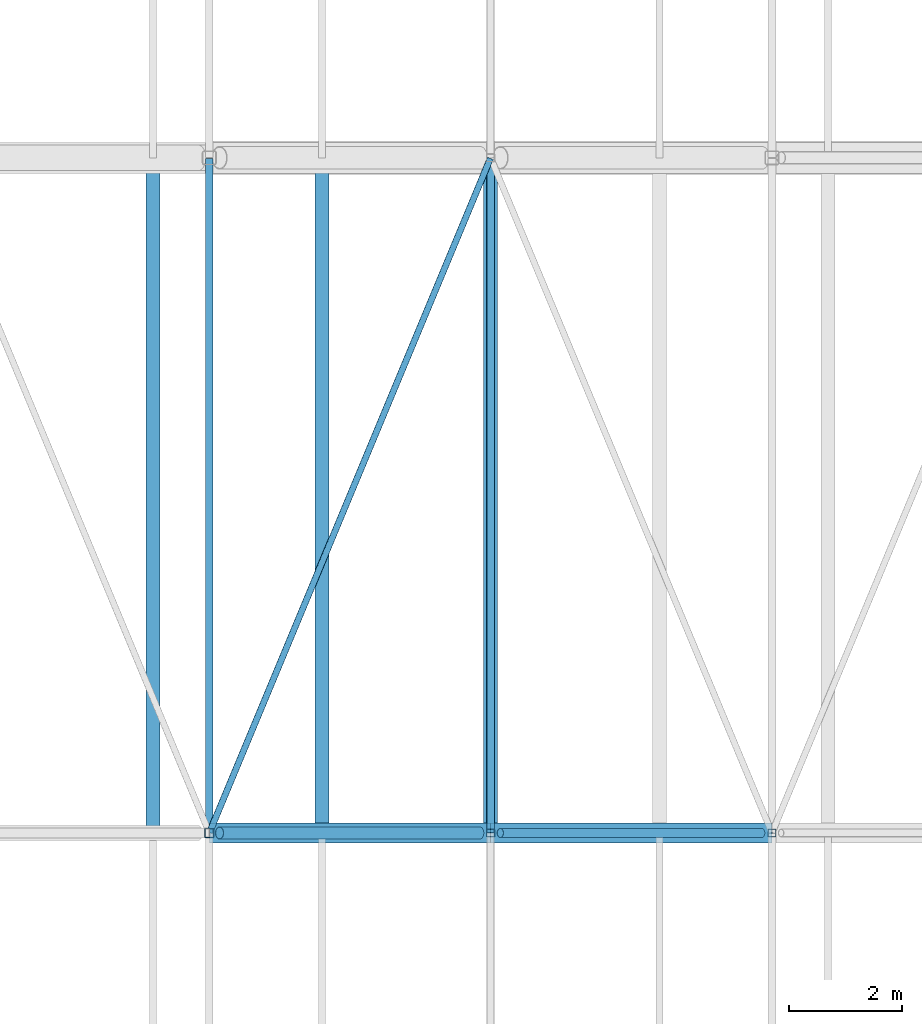
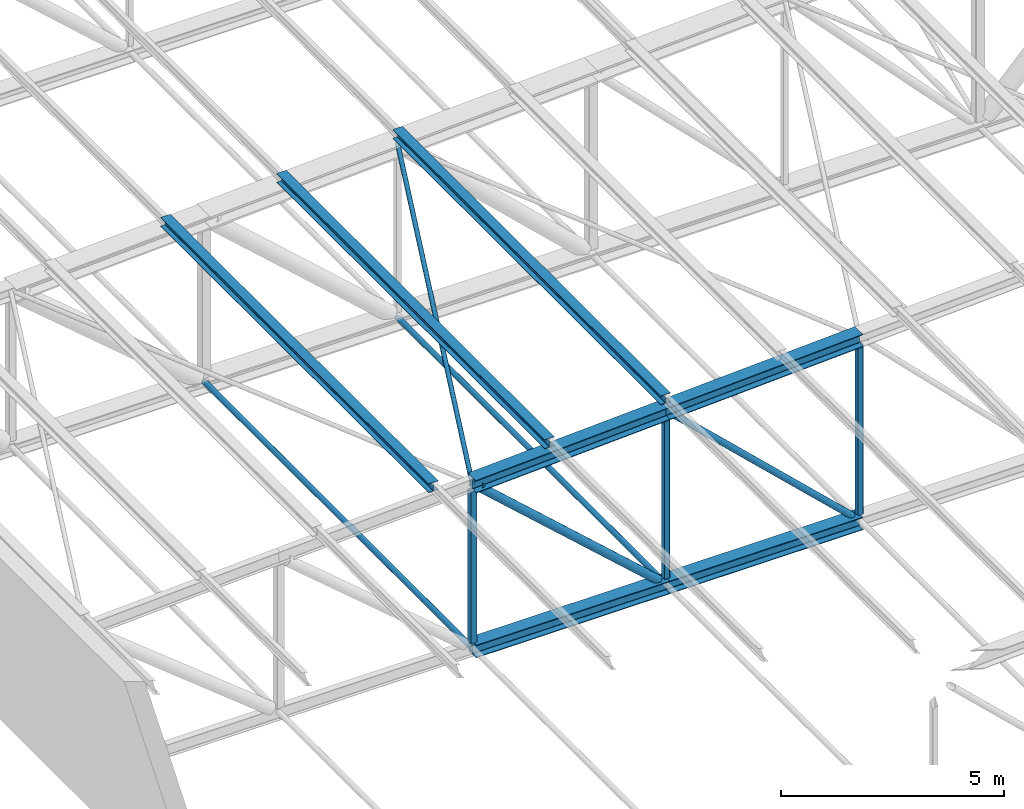
# One storey, part 67 of 156: 15 members.
"""IFC4 building model written with IfcOpenShell, lengths in metres."""

from ifc_helpers import new_model, si_unit, direction, frame, origin, origin_2d, place, context, subcontext, project, spatial, hollow_rectangle, hollow_circle, i_section, extrude, material, material_profile, profile_set, type_object, element, save


model = new_model("IFC4")

# Units and contexts
model_context = context("Model", 3, precision=1e-05, world=origin(), true_north=direction((0.0, 1.0)))
body_context = subcontext(model_context, "Body", "Model", "MODEL_VIEW")
ifc_project = project(units=[si_unit("LENGTHUNIT", "METRE"), si_unit("AREAUNIT", "SQUARE_METRE"), si_unit("VOLUMEUNIT", "CUBIC_METRE"), si_unit("PLANEANGLEUNIT", "RADIAN"), si_unit("MASSUNIT", "GRAM", prefix="KILO")], contexts=[model_context])

# Site, building, storey
site_placement = place(None, origin())
site = spatial("IfcSite", under=ifc_project, at=site_placement, CompositionType="ELEMENT")
building_placement = place(site_placement, origin())
building = spatial("IfcBuilding", under=site, at=building_placement, Name="Lilac Gate Convention Centre", CompositionType="ELEMENT")
storey_placement = place(building_placement, frame((0.0, 0.0, 17.0)))
storey = spatial("IfcBuildingStorey", under=building, at=storey_placement, Name="L03", CompositionType="ELEMENT", Elevation=17.0)

# Members
ifc_material = material(Name="Steel Q355B", Category="steel")
ifc_material_profile_1 = material_profile(ifc_material, hollow_circle(Radius=0.06982421875, WallThickness=0.0048828125, at=origin_2d()), Name="CHS139.7x5")
ifc_profile_set_1 = profile_set([ifc_material_profile_1], Name="Steel Q355B")
member_type_1 = type_object("IfcMemberType", Name="Bottom chord tie CHS139.7x5", PredefinedType="STRUT", material=ifc_profile_set_1)
member_1_placement = place(storey_placement, frame((40.0, 126.00341796875, 0.0), z_axis=(0.0, 1.0, 0.0), x_axis=(-1.0, 0.0, 0.0)))
element("IfcMember", 1, at=member_1_placement, inside=storey, type_object=member_type_1, Name="ST1 tie bay 9 node 3", PredefinedType="STRUT", context=body_context, shape_type="SweptSolid", body=[
    extrude(hollow_circle(Radius=0.06982421875, WallThickness=0.0048828125, at=origin_2d()), origin(), (0.0, 0.0, 1.0), 11.988525390625),
])
member_2_placement = place(storey_placement, frame((45.0, 126.006103515625, 0.0), z_axis=(0.0, 1.0, 0.0), x_axis=(-1.0, 0.0, 0.0)))
element("IfcMember", 2, at=member_2_placement, inside=storey, type_object=member_type_1, Name="ST1 tie bay 9 node 4", PredefinedType="STRUT", context=body_context, shape_type="SweptSolid", body=[
    extrude(hollow_circle(Radius=0.06982421875, WallThickness=0.0048828125, at=origin_2d()), origin(), (0.0, 0.0, 1.0), 11.98388671875),
])
ifc_material_profile_2 = material_profile(ifc_material, hollow_circle(Radius=0.05712890625, WallThickness=0.0048828125, at=origin_2d()), Name="CHS114.3x5")
ifc_profile_set_2 = profile_set([ifc_material_profile_2], Name="Steel Q355B")
member_type_2 = type_object("IfcMemberType", Name="Roof plane bracing CHS114.3x5", PredefinedType="BRACE", material=ifc_profile_set_2)
member_3_placement = place(storey_placement, frame((40.004150390625, 126.010009765625, 4.500244140625), z_axis=(0.384546996299, 0.922905267945, 0.019221707435), x_axis=(-0.923075809972, 0.384618056056, 0.0)))
element("IfcMember", 3, at=member_3_placement, inside=storey, type_object=member_type_2, Name="BR1 plan bracing bay 9 panel 3", PredefinedType="BRACE", context=body_context, shape_type="SweptSolid", body=[
    extrude(hollow_circle(Radius=0.05712890625, WallThickness=0.0048828125, at=origin_2d()), origin(), (0.0, 0.0, 1.0), 12.980712890625),
])
ifc_material_profile_3 = material_profile(ifc_material, i_section(OverallWidth=0.25, OverallDepth=0.25, WebThickness=0.009033203125, FlangeThickness=0.013916015625, FilletRadius=0.012939453125, at=origin_2d()), Name="HW250x250x9x14")
ifc_profile_set_3 = profile_set([ifc_material_profile_3], Name="Steel Q355B")
member_type_3 = type_object("IfcMemberType", Name="Roof purlin HW250x250x9x14", PredefinedType="PURLIN", material=ifc_profile_set_3)
for number, where, z_axis, x_axis, name in (
    (4, (39.0, 126.0, 4.750244140625), (0.0, 1.0, 0.0), (-1.0, 0.0, 0.0), "PU1 purlin bay 9 line 4"),
    (5, (42.0, 126.0, 4.900146484375), (0.0, 1.0, 0.0), (-1.0, 0.0, 0.0), "PU1 purlin bay 9 line 5"),
    (6, (45.0, 126.0, 5.05029296875), (0.0, 1.0, 0.0), (-1.0, 0.0, 0.0), "PU1 purlin bay 9 line 6"),
):
    element("IfcMember", number, at=place(storey_placement, frame(where, z_axis=z_axis, x_axis=x_axis)), inside=storey, type_object=member_type_3, Name=name, PredefinedType="PURLIN", context=body_context, shape_type="SweptSolid", body=[
        extrude(i_section(OverallWidth=0.25, OverallDepth=0.25, WebThickness=0.009033203125, FlangeThickness=0.013916015625, FilletRadius=0.012939453125, at=origin_2d()), origin(), (0.0, 0.0, 1.0), 12.0),
    ])
ifc_material_profile_4 = material_profile(ifc_material, i_section(OverallWidth=0.35009765625, OverallDepth=0.35009765625, WebThickness=0.011962890625, FlangeThickness=0.01904296875, FilletRadius=0.012939453125, at=origin_2d()), Name="HW350x350x12x19")
ifc_profile_set_4 = profile_set([ifc_material_profile_4], Name="Steel Q355B")
member_type_4 = type_object("IfcMemberType", Name="Truss bottom chord HW350x350x12x19", PredefinedType="CHORD", material=ifc_profile_set_4)
for number, where, z_axis, x_axis, name in (
    (7, (40.0, 126.0, 0.0), (1.0, 0.0, 0.0), (0.0, 1.0, 0.0), "TB2 truss 9 bottom chord 3"),
    (8, (45.0, 126.0, 0.0), (1.0, 0.0, 0.0), (0.0, 1.0, 0.0), "TB2 truss 9 bottom chord 4"),
):
    element("IfcMember", number, at=place(storey_placement, frame(where, z_axis=z_axis, x_axis=x_axis)), inside=storey, type_object=member_type_4, Name=name, PredefinedType="CHORD", context=body_context, shape_type="SweptSolid", body=[
        extrude(i_section(OverallWidth=0.35009765625, OverallDepth=0.35009765625, WebThickness=0.011962890625, FlangeThickness=0.01904296875, FilletRadius=0.012939453125, at=origin_2d()), origin(), (0.0, 0.0, 1.0), 5.0),
    ])
ifc_material_profile_5 = material_profile(ifc_material, hollow_circle(Radius=0.084228515625, WallThickness=0.006103515625, at=origin_2d()), Name="CHS168.3x6")
ifc_profile_set_5 = profile_set([ifc_material_profile_5], Name="Steel Q355B")
member_type_5 = type_object("IfcMemberType", Name="Truss diagonal CHS168.3x6", PredefinedType="BRACE", material=ifc_profile_set_5)
member_4_placement = place(storey_placement, frame((45.1728515625, 126.0, 4.585693359375), z_axis=(0.725020373275, 0.0, -0.688727419475), x_axis=(0.0, 1.0, 0.0)))
element("IfcMember", 9, at=member_4_placement, inside=storey, type_object=member_type_5, Name="TW4 truss 9 diagonal 4", PredefinedType="BRACE", context=body_context, shape_type="SweptSolid", body=[
    extrude(hollow_circle(Radius=0.084228515625, WallThickness=0.006103515625, at=origin_2d()), origin(), (0.0, 0.0, 1.0), 6.404052734375),
])
ifc_material_profile_6 = material_profile(ifc_material, hollow_circle(Radius=0.109619140625, WallThickness=0.008056640625, at=origin_2d()), Name="CHS219.1x8")
ifc_profile_set_6 = profile_set([ifc_material_profile_6], Name="Steel Q355B")
member_type_6 = type_object("IfcMemberType", Name="Truss diagonal CHS219.1x8", PredefinedType="BRACE", material=ifc_profile_set_6)
member_5_placement = place(storey_placement, frame((40.1826171875, 126.0, 4.335693359375), z_axis=(0.743301953498, 0.0, -0.668956056797), x_axis=(0.0, 1.0, 0.0)))
element("IfcMember", 10, at=member_5_placement, inside=storey, type_object=member_type_6, Name="TW3 truss 9 diagonal 3", PredefinedType="BRACE", context=body_context, shape_type="SweptSolid", body=[
    extrude(hollow_circle(Radius=0.109619140625, WallThickness=0.008056640625, at=origin_2d()), origin(), (0.0, 0.0, 1.0), 6.2197265625),
])
ifc_material_profile_7 = material_profile(ifc_material, i_section(OverallWidth=0.35009765625, OverallDepth=0.35009765625, WebThickness=0.011962890625, FlangeThickness=0.01904296875, FilletRadius=0.012939453125, at=origin_2d()), Name="HW350x350x12x19")
ifc_profile_set_7 = profile_set([ifc_material_profile_7], Name="Steel Q355B")
member_type_7 = type_object("IfcMemberType", Name="Truss top chord HW350x350x12x19", PredefinedType="CHORD", material=ifc_profile_set_7)
for number, where, z_axis, x_axis, name in (
    (11, (40.0, 126.0, 4.5), (0.998752338878, 0.0, 0.049937616944), (0.0, 1.0, 0.0), "TT2 truss 9 top chord 3"),
    (12, (45.0, 126.0, 4.75), (0.998752338878, 0.0, 0.049937616944), (0.0, 1.0, 0.0), "TT2 truss 9 top chord 4"),
):
    element("IfcMember", number, at=place(storey_placement, frame(where, z_axis=z_axis, x_axis=x_axis)), inside=storey, type_object=member_type_7, Name=name, PredefinedType="CHORD", context=body_context, shape_type="SweptSolid", body=[
        extrude(i_section(OverallWidth=0.35009765625, OverallDepth=0.35009765625, WebThickness=0.011962890625, FlangeThickness=0.01904296875, FilletRadius=0.012939453125, at=origin_2d()), origin(), (0.0, 0.0, 1.0), 5.00634765625),
    ])
ifc_material_profile_8 = material_profile(ifc_material, hollow_rectangle(XDim=0.139892578125, YDim=0.139892578125, WallThickness=0.0048828125, InnerFilletRadius=0.0048828125, OuterFilletRadius=0.010009765625, at=origin_2d()), Name="SHS140x140x5")
ifc_profile_set_8 = profile_set([ifc_material_profile_8], Name="Steel Q355B")
member_type_8 = type_object("IfcMemberType", Name="Truss vertical SHS140x140x5", PredefinedType="STRUT", material=ifc_profile_set_8)
member_6_placement = place(storey_placement, frame((45.0, 126.0, 0.175048828125), z_axis=(0.0, 0.0, 1.0), x_axis=(1.0, 0.0, 0.0)))
element("IfcMember", 13, at=member_6_placement, inside=storey, type_object=member_type_8, Name="TV4 truss 9 vertical 4", PredefinedType="STRUT", context=body_context, shape_type="SweptSolid", body=[
    extrude(hollow_rectangle(XDim=0.139892578125, YDim=0.139892578125, WallThickness=0.0048828125, InnerFilletRadius=0.0048828125, OuterFilletRadius=0.010009765625, at=origin_2d()), origin(), (0.0, 0.0, 1.0), 4.399658203125),
])
member_7_placement = place(storey_placement, frame((50.0, 126.0, 0.175048828125), z_axis=(0.0, 0.0, 1.0), x_axis=(1.0, 0.0, 0.0)))
element("IfcMember", 14, at=member_7_placement, inside=storey, type_object=member_type_8, Name="TV4 truss 9 vertical 5", PredefinedType="STRUT", context=body_context, shape_type="SweptSolid", body=[
    extrude(hollow_rectangle(XDim=0.139892578125, YDim=0.139892578125, WallThickness=0.0048828125, InnerFilletRadius=0.0048828125, OuterFilletRadius=0.010009765625, at=origin_2d()), origin(), (0.0, 0.0, 1.0), 4.649658203125),
])
ifc_material_profile_9 = material_profile(ifc_material, hollow_rectangle(XDim=0.159912109375, YDim=0.159912109375, WallThickness=0.006103515625, InnerFilletRadius=0.006103515625, OuterFilletRadius=0.011962890625, at=origin_2d()), Name="SHS160x160x6")
ifc_profile_set_9 = profile_set([ifc_material_profile_9], Name="Steel Q355B")
member_type_9 = type_object("IfcMemberType", Name="Truss vertical SHS160x160x6", PredefinedType="STRUT", material=ifc_profile_set_9)
member_8_placement = place(storey_placement, frame((40.0, 126.0, 0.175048828125), z_axis=(0.0, 0.0, 1.0), x_axis=(1.0, 0.0, 0.0)))
element("IfcMember", 15, at=member_8_placement, inside=storey, type_object=member_type_9, Name="TV3 truss 9 vertical 3", PredefinedType="STRUT", context=body_context, shape_type="SweptSolid", body=[
    extrude(hollow_rectangle(XDim=0.159912109375, YDim=0.159912109375, WallThickness=0.006103515625, InnerFilletRadius=0.006103515625, OuterFilletRadius=0.011962890625, at=origin_2d()), origin(), (0.0, 0.0, 1.0), 4.149658203125),
])

save(model, "model.ifc")
